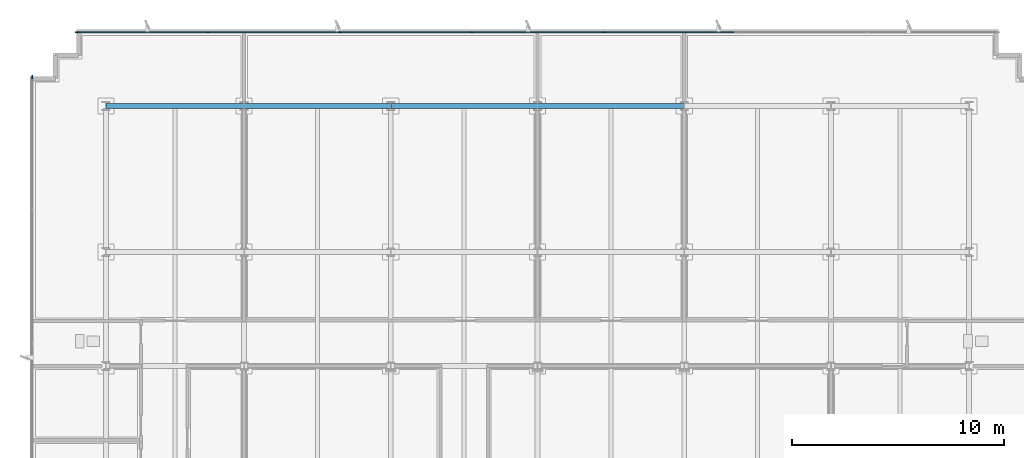
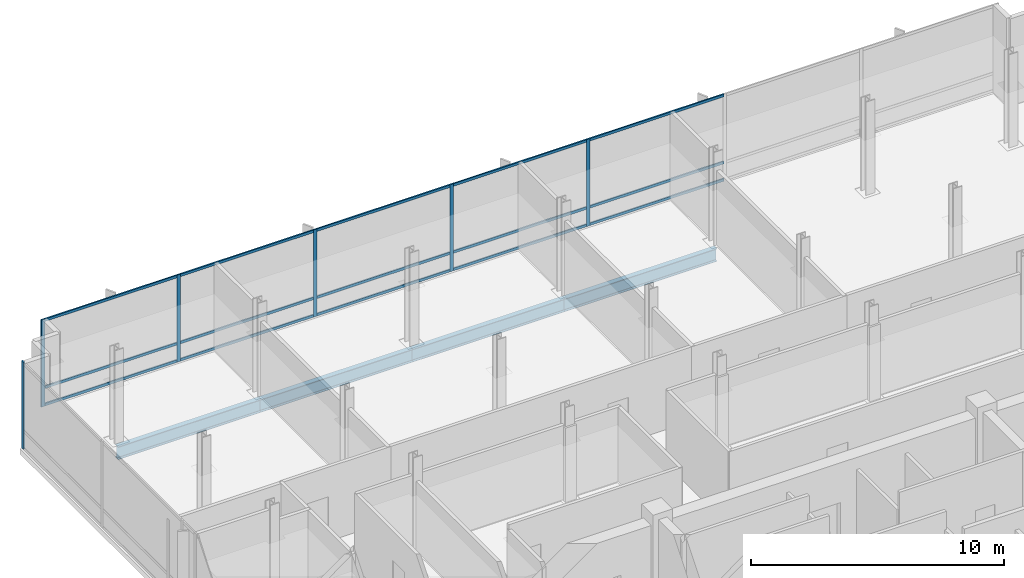
# One storey, part 7 of 17: 21 members, 4 beams, 2 elements without a shape of their own.
"""IFC4 building model written with IfcOpenShell, lengths in metres."""

from ifc_helpers import new_model, si_unit, direction, frame, origin, origin_2d, place, context, subcontext, project, spatial, rectangle, i_section, extrude, material, material_profile, profile_set, type_object, element, aggregate, save


model = new_model("IFC4")

# Units and contexts
model_context = context("Model", 3, precision=1e-05, world=origin(), true_north=direction((0.0, 1.0)))
body_context = subcontext(model_context, "Body", "Model", "MODEL_VIEW")
ifc_project = project(units=[si_unit("LENGTHUNIT", "METRE"), si_unit("AREAUNIT", "SQUARE_METRE"), si_unit("VOLUMEUNIT", "CUBIC_METRE"), si_unit("PLANEANGLEUNIT", "RADIAN"), si_unit("MASSUNIT", "GRAM", prefix="KILO")], contexts=[model_context])

# Site, building, storey
site_placement = place(None, origin())
site = spatial("IfcSite", under=ifc_project, at=site_placement, CompositionType="ELEMENT")
building_placement = place(site_placement, origin())
building = spatial("IfcBuilding", under=site, at=building_placement, Name="Solmavex Isthmus Hotel", CompositionType="ELEMENT")
storey_placement = place(building_placement, frame((0.0, 0.0, 286.800048828125)))
storey = spatial("IfcBuildingStorey", under=building, at=storey_placement, Name="L78", CompositionType="ELEMENT", Elevation=286.800048828125)

# Beams
ifc_material_1 = material(Name="Steel ASTM A992 Grade 50", Category="steel")
ifc_material_profile_1 = material_profile(ifc_material_1, i_section(OverallWidth=0.230224609375, OverallDepth=0.617431640625, WebThickness=0.01318359375, FlangeThickness=0.022216796875, FilletRadius=0.01513671875, at=origin_2d()), Name="W24X94")
ifc_profile_set_1 = profile_set([ifc_material_profile_1], Name="Steel ASTM A992 Grade 50")
beam_type = type_object("IfcBeamType", Name="BM-SP-W24X94", PredefinedType="SPANDREL", material=ifc_profile_set_1)
beam_placement = place(storey_placement, frame((-20.39990234375, 17.699951171875, -0.56884765625), z_axis=(1.0, 0.0, 0.0), x_axis=(0.0, 1.0, 0.0)))
element("IfcBeam", 1, at=beam_placement, inside=storey, type_object=beam_type, Name="Floor Girder L78-UG15", PredefinedType="SPANDREL", context=body_context, shape_type="SweptSolid", body=[
    extrude(i_section(OverallWidth=0.230224609375, OverallDepth=0.617431640625, WebThickness=0.01318359375, FlangeThickness=0.022216796875, FilletRadius=0.01513671875, at=origin_2d()), origin(), (0.0, 0.0, 1.0), 6.52783203125),
])
for number, where, z_axis, x_axis, name in (
    (2, (-13.8720703125, 17.699951171875, -0.56884765625), (1.0, 0.0, 0.0), (0.0, 1.0, 0.0), "Floor Girder L78-UG16"),
    (3, (-6.93603515625, 17.699951171875, -0.56884765625), (1.0, 0.0, 0.0), (0.0, 1.0, 0.0), "Floor Girder L78-UG17"),
    (4, (0.0, 17.699951171875, -0.56884765625), (1.0, 0.0, 0.0), (0.0, 1.0, 0.0), "Floor Girder L78-UG18"),
):
    element("IfcBeam", number, at=place(storey_placement, frame(where, z_axis=z_axis, x_axis=x_axis)), inside=storey, type_object=beam_type, Name=name, PredefinedType="SPANDREL", context=body_context, shape_type="SweptSolid", body=[
        extrude(i_section(OverallWidth=0.230224609375, OverallDepth=0.617431640625, WebThickness=0.01318359375, FlangeThickness=0.022216796875, FilletRadius=0.01513671875, at=origin_2d()), origin(), (0.0, 0.0, 1.0), 6.93603515625),
    ])

# Curtain wall, members
ifc_material_2 = material(Name="Aluminium alloy 6063-T6", Category="aluminium")
curtain_wall_type = type_object("IfcCurtainWallType", Name="CW-SYS-05", PredefinedType="NOTDEFINED", material=ifc_material_2)
curtain_wall_1_placement = place(storey_placement, origin())
curtain_wall_1 = element("IfcCurtainWall", 5, at=curtain_wall_1_placement, inside=storey, type_object=curtain_wall_type, Name="Stick Curtain Wall CWL-L78-N1", PredefinedType="NOTDEFINED")
ifc_material_profile_2 = material_profile(ifc_material_2, rectangle(XDim=0.06494140625, YDim=0.159912109375, at=origin_2d()), Name="CWM-65X160")
ifc_profile_set_2 = profile_set([ifc_material_profile_2], Name="Aluminium alloy 6063-T6")
member_type_1 = type_object("IfcMemberType", Name="CW-SYS-05-MUL", PredefinedType="MULLION", material=ifc_profile_set_2)
member_1_placement = place(storey_placement, frame((-21.767578125, 21.179931640625, 0.0), z_axis=(0.0, 0.0, 1.0), x_axis=(0.0, 1.0, 0.0)))
member_1 = element("IfcMember", 6, at=member_1_placement, type_object=member_type_1, Name="CW-05 mullion 1", PredefinedType="MULLION", context=body_context, shape_type="SweptSolid", body=[
    extrude(rectangle(XDim=0.06494140625, YDim=0.159912109375, at=origin_2d()), origin(), (0.0, 0.0, 1.0), 4.199951171875),
])
member_2_placement = place(storey_placement, frame((-15.571533203125, 21.179931640625, 0.0), z_axis=(0.0, 0.0, 1.0), x_axis=(0.0, 1.0, 0.0)))
member_2 = element("IfcMember", 7, at=member_2_placement, type_object=member_type_1, Name="CW-05 mullion 2", PredefinedType="MULLION", context=body_context, shape_type="SweptSolid", body=[
    extrude(rectangle(XDim=0.06494140625, YDim=0.159912109375, at=origin_2d()), origin(), (0.0, 0.0, 1.0), 4.199951171875),
])
member_3_placement = place(storey_placement, frame((-9.3427734375, 21.179931640625, 0.0), z_axis=(0.0, 0.0, 1.0), x_axis=(0.0, 1.0, 0.0)))
member_3 = element("IfcMember", 8, at=member_3_placement, type_object=member_type_1, Name="CW-05 mullion 3", PredefinedType="MULLION", context=body_context, shape_type="SweptSolid", body=[
    extrude(rectangle(XDim=0.06494140625, YDim=0.159912109375, at=origin_2d()), origin(), (0.0, 0.0, 1.0), 4.199951171875),
])
member_4_placement = place(storey_placement, frame((-3.1142578125, 21.179931640625, 0.0), z_axis=(0.0, 0.0, 1.0), x_axis=(0.0, 1.0, 0.0)))
member_4 = element("IfcMember", 9, at=member_4_placement, type_object=member_type_1, Name="CW-05 mullion 4", PredefinedType="MULLION", context=body_context, shape_type="SweptSolid", body=[
    extrude(rectangle(XDim=0.06494140625, YDim=0.159912109375, at=origin_2d()), origin(), (0.0, 0.0, 1.0), 4.199951171875),
])
member_5_placement = place(storey_placement, frame((3.1142578125, 21.179931640625, 0.0), z_axis=(0.0, 0.0, 1.0), x_axis=(0.0, 1.0, 0.0)))
member_5 = element("IfcMember", 10, at=member_5_placement, type_object=member_type_1, Name="CW-05 mullion 5", PredefinedType="MULLION", context=body_context, shape_type="SweptSolid", body=[
    extrude(rectangle(XDim=0.06494140625, YDim=0.159912109375, at=origin_2d()), origin(), (0.0, 0.0, 1.0), 4.199951171875),
])

# Curtain wall, member
curtain_wall_2_placement = place(storey_placement, origin())
curtain_wall_2 = element("IfcCurtainWall", 11, at=curtain_wall_2_placement, inside=storey, type_object=curtain_wall_type, Name="Stick Curtain Wall CWL-L78-W1", PredefinedType="NOTDEFINED")
member_6_placement = place(storey_placement, frame((-23.8798828125, 19.0673828125, 0.0), z_axis=(0.0, 0.0, 1.0), x_axis=(-1.0, 0.0, 0.0)))
member_6 = element("IfcMember", 12, at=member_6_placement, type_object=member_type_1, Name="CW-05 mullion 6", PredefinedType="MULLION", context=body_context, shape_type="SweptSolid", body=[
    extrude(rectangle(XDim=0.06494140625, YDim=0.159912109375, at=origin_2d()), origin(), (0.0, 0.0, 1.0), 4.199951171875),
])
aggregate(curtain_wall_2, [member_6])

# Member
ifc_material_profile_3 = material_profile(ifc_material_2, rectangle(XDim=0.06494140625, YDim=0.125, at=origin_2d()), Name="CWT-65X125")
ifc_profile_set_3 = profile_set([ifc_material_profile_3], Name="Aluminium alloy 6063-T6")
member_type_2 = type_object("IfcMemberType", Name="CW-SYS-05-TRN", PredefinedType="USERDEFINED", material=ifc_profile_set_3)
member_7_placement = place(storey_placement, frame((-21.735107421875, 21.179931640625, 0.0625), z_axis=(1.0, 0.0, 0.0), x_axis=(0.0, 1.0, 0.0)))
member_7 = element("IfcMember", 13, at=member_7_placement, type_object=member_type_2, Name="CW-05 transom 1.1", ObjectType="TRANSOM", PredefinedType="USERDEFINED", context=body_context, shape_type="SweptSolid", body=[
    extrude(rectangle(XDim=0.06494140625, YDim=0.125, at=origin_2d()), origin(), (0.0, 0.0, 1.0), 6.131103515625),
])

member_8_placement = place(storey_placement, frame((-21.735107421875, 21.179931640625, 0.89990234375), z_axis=(1.0, 0.0, 0.0), x_axis=(0.0, 1.0, 0.0)))
member_8 = element("IfcMember", 14, at=member_8_placement, type_object=member_type_2, Name="CW-05 transom 1.2", ObjectType="TRANSOM", PredefinedType="USERDEFINED", context=body_context, shape_type="SweptSolid", body=[
    extrude(rectangle(XDim=0.06494140625, YDim=0.125, at=origin_2d()), origin(), (0.0, 0.0, 1.0), 6.131103515625),
])

member_9_placement = place(storey_placement, frame((-21.735107421875, 21.179931640625, 4.137451171875), z_axis=(1.0, 0.0, 0.0), x_axis=(0.0, 1.0, 0.0)))
member_9 = element("IfcMember", 15, at=member_9_placement, type_object=member_type_2, Name="CW-05 transom 1.3", ObjectType="TRANSOM", PredefinedType="USERDEFINED", context=body_context, shape_type="SweptSolid", body=[
    extrude(rectangle(XDim=0.06494140625, YDim=0.125, at=origin_2d()), origin(), (0.0, 0.0, 1.0), 6.131103515625),
])

member_10_placement = place(storey_placement, frame((-15.538818359375, 21.179931640625, 0.0625), z_axis=(1.0, 0.0, 0.0), x_axis=(0.0, 1.0, 0.0)))
member_10 = element("IfcMember", 16, at=member_10_placement, type_object=member_type_2, Name="CW-05 transom 2.1", ObjectType="TRANSOM", PredefinedType="USERDEFINED", context=body_context, shape_type="SweptSolid", body=[
    extrude(rectangle(XDim=0.06494140625, YDim=0.125, at=origin_2d()), origin(), (0.0, 0.0, 1.0), 6.16357421875),
])

member_11_placement = place(storey_placement, frame((-15.538818359375, 21.179931640625, 0.89990234375), z_axis=(1.0, 0.0, 0.0), x_axis=(0.0, 1.0, 0.0)))
member_11 = element("IfcMember", 17, at=member_11_placement, type_object=member_type_2, Name="CW-05 transom 2.2", ObjectType="TRANSOM", PredefinedType="USERDEFINED", context=body_context, shape_type="SweptSolid", body=[
    extrude(rectangle(XDim=0.06494140625, YDim=0.125, at=origin_2d()), origin(), (0.0, 0.0, 1.0), 6.16357421875),
])

member_12_placement = place(storey_placement, frame((-15.538818359375, 21.179931640625, 4.137451171875), z_axis=(1.0, 0.0, 0.0), x_axis=(0.0, 1.0, 0.0)))
member_12 = element("IfcMember", 18, at=member_12_placement, type_object=member_type_2, Name="CW-05 transom 2.3", ObjectType="TRANSOM", PredefinedType="USERDEFINED", context=body_context, shape_type="SweptSolid", body=[
    extrude(rectangle(XDim=0.06494140625, YDim=0.125, at=origin_2d()), origin(), (0.0, 0.0, 1.0), 6.16357421875),
])

member_13_placement = place(storey_placement, frame((-9.310302734375, 21.179931640625, 0.0625), z_axis=(1.0, 0.0, 0.0), x_axis=(0.0, 1.0, 0.0)))
member_13 = element("IfcMember", 19, at=member_13_placement, type_object=member_type_2, Name="CW-05 transom 3.1", ObjectType="TRANSOM", PredefinedType="USERDEFINED", context=body_context, shape_type="SweptSolid", body=[
    extrude(rectangle(XDim=0.06494140625, YDim=0.125, at=origin_2d()), origin(), (0.0, 0.0, 1.0), 6.16357421875),
])

member_14_placement = place(storey_placement, frame((-9.310302734375, 21.179931640625, 0.89990234375), z_axis=(1.0, 0.0, 0.0), x_axis=(0.0, 1.0, 0.0)))
member_14 = element("IfcMember", 20, at=member_14_placement, type_object=member_type_2, Name="CW-05 transom 3.2", ObjectType="TRANSOM", PredefinedType="USERDEFINED", context=body_context, shape_type="SweptSolid", body=[
    extrude(rectangle(XDim=0.06494140625, YDim=0.125, at=origin_2d()), origin(), (0.0, 0.0, 1.0), 6.16357421875),
])

member_15_placement = place(storey_placement, frame((-9.310302734375, 21.179931640625, 4.137451171875), z_axis=(1.0, 0.0, 0.0), x_axis=(0.0, 1.0, 0.0)))
member_15 = element("IfcMember", 21, at=member_15_placement, type_object=member_type_2, Name="CW-05 transom 3.3", ObjectType="TRANSOM", PredefinedType="USERDEFINED", context=body_context, shape_type="SweptSolid", body=[
    extrude(rectangle(XDim=0.06494140625, YDim=0.125, at=origin_2d()), origin(), (0.0, 0.0, 1.0), 6.16357421875),
])

member_16_placement = place(storey_placement, frame((-3.081787109375, 21.179931640625, 0.0625), z_axis=(1.0, 0.0, 0.0), x_axis=(0.0, 1.0, 0.0)))
member_16 = element("IfcMember", 22, at=member_16_placement, type_object=member_type_2, Name="CW-05 transom 4.1", ObjectType="TRANSOM", PredefinedType="USERDEFINED", context=body_context, shape_type="SweptSolid", body=[
    extrude(rectangle(XDim=0.06494140625, YDim=0.125, at=origin_2d()), origin(), (0.0, 0.0, 1.0), 6.16357421875),
])

member_17_placement = place(storey_placement, frame((-3.081787109375, 21.179931640625, 0.89990234375), z_axis=(1.0, 0.0, 0.0), x_axis=(0.0, 1.0, 0.0)))
member_17 = element("IfcMember", 23, at=member_17_placement, type_object=member_type_2, Name="CW-05 transom 4.2", ObjectType="TRANSOM", PredefinedType="USERDEFINED", context=body_context, shape_type="SweptSolid", body=[
    extrude(rectangle(XDim=0.06494140625, YDim=0.125, at=origin_2d()), origin(), (0.0, 0.0, 1.0), 6.16357421875),
])

member_18_placement = place(storey_placement, frame((-3.081787109375, 21.179931640625, 4.137451171875), z_axis=(1.0, 0.0, 0.0), x_axis=(0.0, 1.0, 0.0)))
member_18 = element("IfcMember", 24, at=member_18_placement, type_object=member_type_2, Name="CW-05 transom 4.3", ObjectType="TRANSOM", PredefinedType="USERDEFINED", context=body_context, shape_type="SweptSolid", body=[
    extrude(rectangle(XDim=0.06494140625, YDim=0.125, at=origin_2d()), origin(), (0.0, 0.0, 1.0), 6.16357421875),
])

member_19_placement = place(storey_placement, frame((3.146728515625, 21.179931640625, 0.0625), z_axis=(1.0, 0.0, 0.0), x_axis=(0.0, 1.0, 0.0)))
member_19 = element("IfcMember", 25, at=member_19_placement, type_object=member_type_2, Name="CW-05 transom 5.1", ObjectType="TRANSOM", PredefinedType="USERDEFINED", context=body_context, shape_type="SweptSolid", body=[
    extrude(rectangle(XDim=0.06494140625, YDim=0.125, at=origin_2d()), origin(), (0.0, 0.0, 1.0), 6.16357421875),
])

member_20_placement = place(storey_placement, frame((3.146728515625, 21.179931640625, 0.89990234375), z_axis=(1.0, 0.0, 0.0), x_axis=(0.0, 1.0, 0.0)))
member_20 = element("IfcMember", 26, at=member_20_placement, type_object=member_type_2, Name="CW-05 transom 5.2", ObjectType="TRANSOM", PredefinedType="USERDEFINED", context=body_context, shape_type="SweptSolid", body=[
    extrude(rectangle(XDim=0.06494140625, YDim=0.125, at=origin_2d()), origin(), (0.0, 0.0, 1.0), 6.16357421875),
])

member_21_placement = place(storey_placement, frame((3.146728515625, 21.179931640625, 4.137451171875), z_axis=(1.0, 0.0, 0.0), x_axis=(0.0, 1.0, 0.0)))
member_21 = element("IfcMember", 27, at=member_21_placement, type_object=member_type_2, Name="CW-05 transom 5.3", ObjectType="TRANSOM", PredefinedType="USERDEFINED", context=body_context, shape_type="SweptSolid", body=[
    extrude(rectangle(XDim=0.06494140625, YDim=0.125, at=origin_2d()), origin(), (0.0, 0.0, 1.0), 6.16357421875),
])

aggregate(curtain_wall_1, [member_1, member_2, member_3, member_4, member_5, member_7, member_8, member_9, member_10, member_11, member_12, member_13, member_14, member_15, member_16, member_17, member_18, member_19, member_20, member_21])

save(model, "model.ifc")
